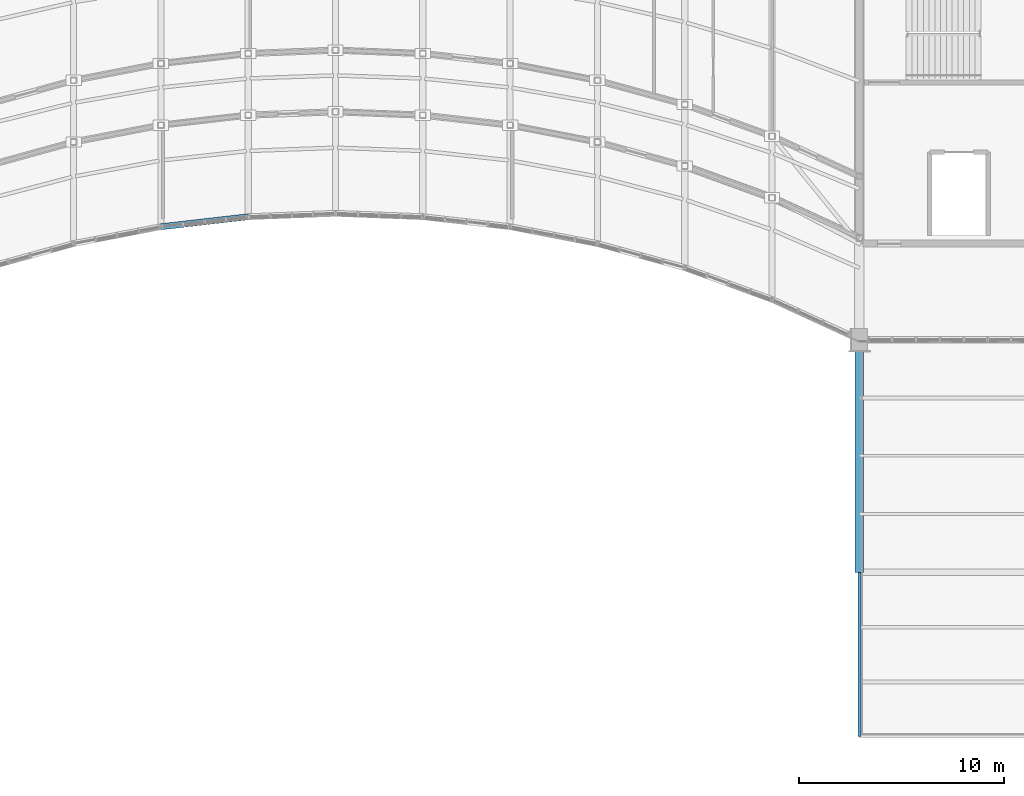
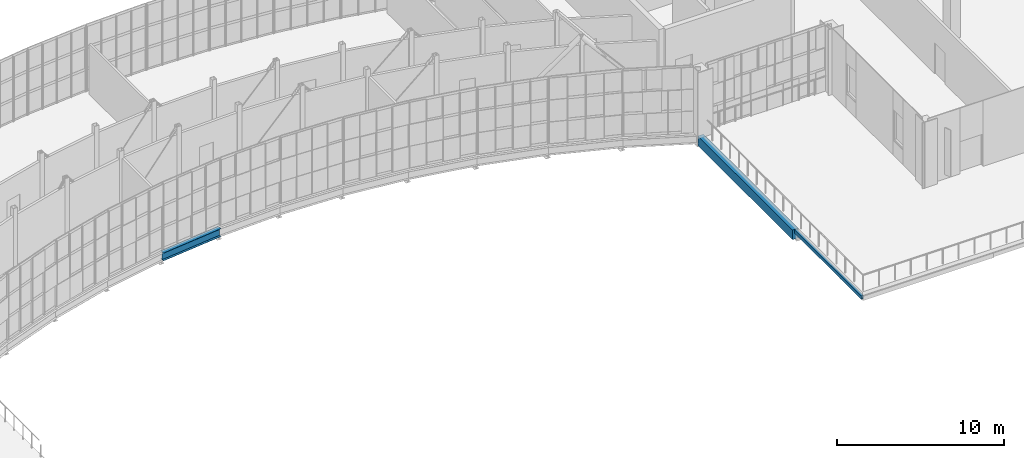
# One storey, part 37 of 86: 3 beams.
"""IFC4 building model written with IfcOpenShell, lengths in metres."""

from ifc_helpers import new_model, si_unit, direction, frame, origin, origin_2d, place, context, subcontext, project, spatial, rectangle, hollow_rectangle, i_section, extrude, material, material_profile, profile_set, type_object, element, save


model = new_model("IFC4")

# Units and contexts
model_context = context("Model", 3, precision=1e-05, world=origin(), true_north=direction((0.0, 1.0)))
body_context = subcontext(model_context, "Body", "Model", "MODEL_VIEW")
ifc_project = project(units=[si_unit("LENGTHUNIT", "METRE"), si_unit("AREAUNIT", "SQUARE_METRE"), si_unit("VOLUMEUNIT", "CUBIC_METRE"), si_unit("PLANEANGLEUNIT", "RADIAN"), si_unit("MASSUNIT", "GRAM", prefix="KILO")], contexts=[model_context])

# Site, building, storey
site_placement = place(None, origin())
site = spatial("IfcSite", under=ifc_project, at=site_placement, CompositionType="ELEMENT")
building_placement = place(site_placement, origin())
building = spatial("IfcBuilding", under=site, at=building_placement, Name="Solvikara Media Centre", CompositionType="ELEMENT")
storey_placement = place(building_placement, frame((0.0, 0.0, 15.0)))
storey = spatial("IfcBuildingStorey", under=building, at=storey_placement, Name="L03", CompositionType="ELEMENT", Elevation=15.0)

# Beams
ifc_material_1 = material(Name="Concrete fc' 35 MPa (C35/45)", Category="concrete")
ifc_material_profile_1 = material_profile(ifc_material_1, rectangle(XDim=0.39990234375, YDim=0.699951171875, at=origin_2d()), Name="RC 400x700")
ifc_profile_set_1 = profile_set([ifc_material_profile_1], Name="Concrete fc' 35 MPa (C35/45)")
beam_type_1 = type_object("IfcBeamType", Name="BM-13", PredefinedType="SPANDREL", material=ifc_profile_set_1)
beam_1_placement = place(storey_placement, frame((127.5, 8.0, -0.6201171875), z_axis=(0.0, 1.0, 0.0), x_axis=(-1.0, 0.0, 0.0)))
element("IfcBeam", 1, at=beam_1_placement, inside=storey, type_object=beam_type_1, Name="B-L03-Y1285", PredefinedType="SPANDREL", context=body_context, shape_type="SweptSolid", body=[
    extrude(rectangle(XDim=0.39990234375, YDim=0.699951171875, at=origin_2d()), origin(), (0.0, 0.0, 1.0), 11.323974609375),
])
ifc_material_2 = material(Name="Steel S355JR", Category="steel")
ifc_material_profile_2 = material_profile(ifc_material_2, i_section(OverallWidth=0.300048828125, OverallDepth=0.58203125, WebThickness=0.011962890625, FlangeThickness=0.01708984375, at=origin_2d()), Name="WF 582x300x12x17")
ifc_profile_set_2 = profile_set([ifc_material_profile_2], Name="Steel S355JR")
beam_type_2 = type_object("IfcBeamType", Name="BM-31", PredefinedType="SPANDREL", material=ifc_profile_set_2)
beam_2_placement = place(storey_placement, frame((93.5, 24.818115234375, -0.512939453125), z_axis=(0.993503575407, 0.113800903571, 0.0), x_axis=(-0.113800903571, 0.993503575407, 0.0)))
element("IfcBeam", 2, at=beam_2_placement, inside=storey, type_object=beam_type_2, Name="B-L03-SARC-04", PredefinedType="SPANDREL", context=body_context, shape_type="SweptSolid", body=[
    extrude(i_section(OverallWidth=0.300048828125, OverallDepth=0.58203125, WebThickness=0.011962890625, FlangeThickness=0.01708984375, at=origin_2d()), origin(), (0.0, 0.0, 1.0), 4.27783203125),
])
ifc_material_profile_3 = material_profile(ifc_material_2, hollow_rectangle(XDim=0.14990234375, YDim=0.25, WallThickness=0.008056640625, at=origin_2d()), Name="RHS 250x150x8")
ifc_profile_set_3 = profile_set([ifc_material_profile_3], Name="Steel S355JR")
beam_type_3 = type_object("IfcBeamType", Name="BM-36", PredefinedType="JOIST", material=ifc_profile_set_3)
beam_3_placement = place(storey_placement, frame((127.5, 0.0, -0.39697265625), z_axis=(0.0, 1.0, 0.0), x_axis=(-1.0, 0.0, 0.0)))
element("IfcBeam", 3, at=beam_3_placement, inside=storey, type_object=beam_type_3, Name="B-L03-Y1284", PredefinedType="JOIST", context=body_context, shape_type="SweptSolid", body=[
    extrude(hollow_rectangle(XDim=0.14990234375, YDim=0.25, WallThickness=0.008056640625, at=origin_2d()), origin(), (0.0, 0.0, 1.0), 8.0),
])

save(model, "model.ifc")
